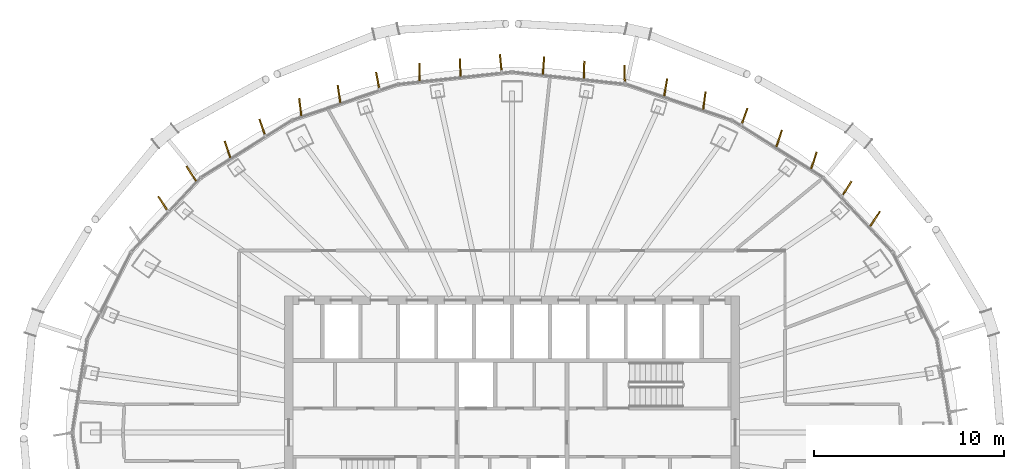
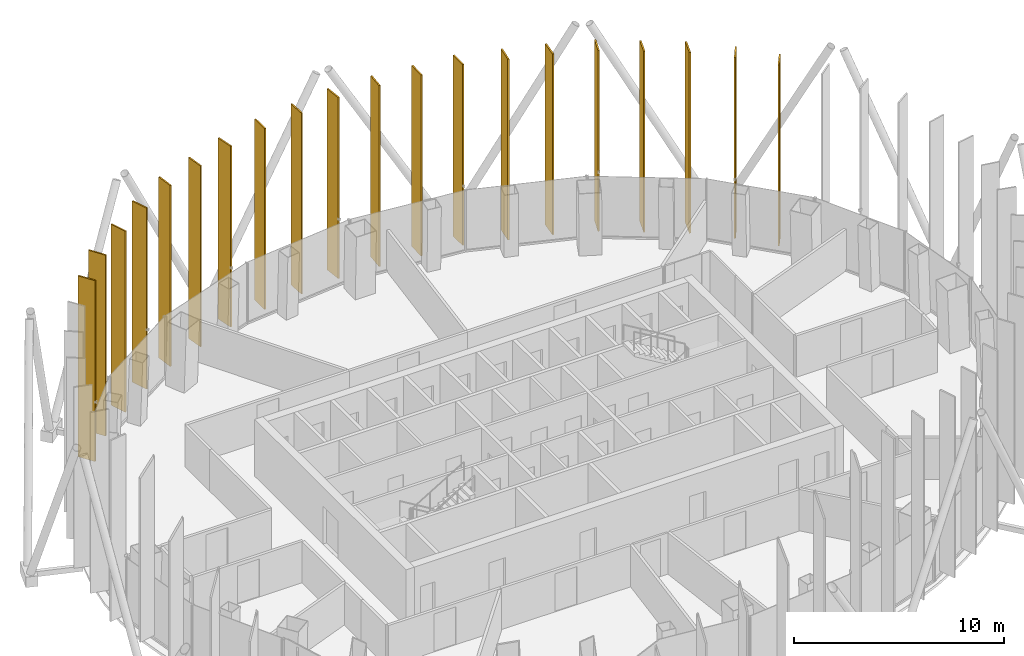
# One storey, part 19 of 19: 20 shading devices.
"""IFC4 building model written with IfcOpenShell, lengths in metres."""

import ifcopenshell
import ifcopenshell.guid

model = None  # the IFC model being written
_history = None  # IfcOwnerHistory: only IFC2X3 demands one
_inside = {}  # id of a spatial element -> (the spatial element, [elements in it])
_under = {}  # id of a project, library or spatial element -> (it, [spatial elements below it])
_declared = {}  # id of a project -> (the project, [libraries it declares])
_typed = {}  # id of a type object -> (the type object, [elements of that type])
_made_of = {}  # id of a material, layer set ... -> (it, [elements and type objects made of it])


def new_model(schema):
    """Start an empty IFC model of exactly this schema.

    Asked for "IFC4X3", IfcOpenShell would pick the latest addendum, in which some entities
    have other attributes; the version numbers below select the first issue.
    IFC2X3 requires an IfcOwnerHistory on every rooted entity: one is made here for all.
    """
    global model, _history
    if schema == "IFC4X3":
        model = ifcopenshell.file(schema_version=(4, 3, 0, 0))
    else:
        model = ifcopenshell.file(schema=schema)
    _inside.clear()
    _under.clear()
    _declared.clear()
    _typed.clear()
    _made_of.clear()
    _history = None
    if model.schema == "IFC2X3":
        org = make("IfcOrganization", Name="unknown")
        user = make(
            "IfcPersonAndOrganization",
            ThePerson=make("IfcPerson", FamilyName="unknown"),
            TheOrganization=org,
        )
        app = make(
            "IfcApplication",
            ApplicationDeveloper=org,
            Version="unknown",
            ApplicationFullName="unknown",
            ApplicationIdentifier="unknown",
        )
        _history = make(
            "IfcOwnerHistory",
            OwningUser=user,
            OwningApplication=app,
            ChangeAction="ADDED",
            CreationDate=0,
        )
    return model


def make(cls, **values):
    """One entity of the class cls with the attributes given. An attribute that is None is left unset."""
    return model.create_entity(
        cls, **{name: value for name, value in values.items() if value is not None}
    )


def rooted(cls, **values):
    """An entity with a GlobalId (a new one), such as an element, a storey or a relation."""
    return make(cls, GlobalId=ifcopenshell.guid.new(), OwnerHistory=_history, **values)


def si_unit(unit_type, name, prefix=None):
    """IfcSIUnit, for example si_unit("LENGTHUNIT", "METRE", prefix="MILLI")."""
    return make("IfcSIUnit", UnitType=unit_type, Prefix=prefix, Name=name)


def assignment(units):
    """IfcUnitAssignment: the units of a project."""
    return None if units is None else make("IfcUnitAssignment", Units=units)


def point(xyz):
    """IfcCartesianPoint."""
    return None if xyz is None else make("IfcCartesianPoint", Coordinates=xyz)


def direction(xyz):
    """IfcDirection."""
    return None if xyz is None else make("IfcDirection", DirectionRatios=xyz)


def frame(location, z_axis=None, x_axis=None):
    """IfcAxis2Placement3D, a coordinate frame: its origin and axes. An axis left out is left unset."""
    return make(
        "IfcAxis2Placement3D",
        Location=point(location),
        Axis=direction(z_axis),
        RefDirection=direction(x_axis),
    )


def frame_2d(location, x_axis=None):
    """IfcAxis2Placement2D, a coordinate frame in the plane: its origin and x axis."""
    return make(
        "IfcAxis2Placement2D", Location=point(location), RefDirection=direction(x_axis)
    )


def origin():
    """The frame at (0, 0, 0) with its axes left unset."""
    return frame((0.0, 0.0, 0.0))


def origin_2d():
    """The frame at (0, 0) in the plane with its x axis left unset."""
    return frame_2d((0.0, 0.0))


def place(relative_to, where):
    """IfcLocalPlacement: puts the frame where relative to a parent placement (None: the world)."""
    return make(
        "IfcLocalPlacement", PlacementRelTo=relative_to, RelativePlacement=where
    )


def context(
    kind, dimensions, precision=None, world=None, true_north=None, identifier=None
):
    """IfcGeometricRepresentationContext, for example the 3D "Model" context."""
    return make(
        "IfcGeometricRepresentationContext",
        ContextIdentifier=identifier,
        ContextType=kind,
        CoordinateSpaceDimension=dimensions,
        Precision=precision,
        WorldCoordinateSystem=world,
        TrueNorth=true_north,
    )


def subcontext(parent, identifier, kind, view, scale=None):
    """IfcGeometricRepresentationSubContext, for example "Body" below "Model"."""
    return make(
        "IfcGeometricRepresentationSubContext",
        ContextIdentifier=identifier,
        ContextType=kind,
        ParentContext=parent,
        TargetScale=scale,
        TargetView=view,
    )


def project(units=None, contexts=None):
    """IfcProject with its units and contexts."""
    return rooted(
        "IfcProject",
        Name="project",
        RepresentationContexts=contexts,
        UnitsInContext=assignment(units),
    )


def spatial(cls, under=None, at=None, **own):
    """A site, building, storey or space (cls), placed at a placement, below another one or the project."""
    s = rooted(cls, ObjectPlacement=at, **own)
    if under is not None:
        _under.setdefault(under.id(), (under, []))[1].append(s)
    return s


def profile(cls, at=None, kind="AREA", **sizes):
    """A parametric profile (cls). Its sizes go by their IFC names, for example OverallWidth=200.0."""
    return make(cls, ProfileType=kind, Position=at, **sizes)


def rectangle(**sizes):
    """IfcRectangleProfileDef."""
    return profile("IfcRectangleProfileDef", **sizes)


def extrude(swept, where, along, depth):
    """IfcExtrudedAreaSolid: the profile swept, set in the frame where, extruded along a direction by depth."""
    return make(
        "IfcExtrudedAreaSolid",
        SweptArea=swept,
        Position=where,
        ExtrudedDirection=direction(along),
        Depth=depth,
    )


def shape(context_of_items, identifier, shape_type, items):
    """IfcShapeRepresentation: the items that make up one representation, for example the "Body"."""
    return make(
        "IfcShapeRepresentation",
        ContextOfItems=context_of_items,
        RepresentationIdentifier=identifier,
        RepresentationType=shape_type,
        Items=items,
    )


def material(Name=None, Category=None):
    """IfcMaterial."""
    return make("IfcMaterial", Name=Name, Category=Category)


def layer(
    of_material, thickness, ventilated=None, Name=None, Category=None, Priority=None
):
    """IfcMaterialLayer: one layer of a wall or slab, of a material (None: an air gap)."""
    return make(
        "IfcMaterialLayer",
        Material=of_material,
        LayerThickness=thickness,
        IsVentilated=ventilated,
        Name=Name,
        Category=Category,
        Priority=Priority,
    )


def layer_set(layers, Name=None):
    """IfcMaterialLayerSet."""
    return make("IfcMaterialLayerSet", MaterialLayers=layers, LayerSetName=Name)


def made_of(thing, what):
    """Note that an element or type object is made of a material, layer set ...; save() writes the relation."""
    if what is not None:
        _made_of.setdefault(what.id(), (what, []))[1].append(thing)
    return thing


def type_object(cls, material=None, **own):
    """A type object (cls), such as IfcWallType, which elements share."""
    return made_of(rooted(cls, **own), material)


def element(
    cls,
    number,
    at=None,
    inside=None,
    cuts=None,
    type_object=None,
    material=None,
    context=None,
    identifier="Body",
    shape_type=None,
    held_by="IfcProductDefinitionShape",
    body=None,
    shapes=None,
    **own,
):
    """One element of the class cls, such as IfcWall. Its Tag is "e" and its number.

    at: its placement. inside: the storey or other place that contains it. cuts: it is an
    opening in that element (IfcRelVoidsElement). A single representation is given by context,
    identifier, shape_type and body (its items); several are given by shapes. held_by: the class
    of the entity that holds the representations. save() writes the other relations.
    """
    e = rooted(cls, Tag="e%d" % number, ObjectPlacement=at, **own)
    if body is not None:
        shapes = [shape(context, identifier, shape_type, body)]
    if shapes is not None:
        e.Representation = make(held_by, Representations=shapes)
    if inside is not None:
        _inside.setdefault(inside.id(), (inside, []))[1].append(e)
    if cuts is not None:
        rooted(
            "IfcRelVoidsElement", RelatingBuildingElement=cuts, RelatedOpeningElement=e
        )
    if type_object is not None:
        _typed.setdefault(type_object.id(), (type_object, []))[1].append(e)
    return made_of(e, material)


def aggregate(whole, parts):
    """IfcRelAggregates: a whole, such as a stair, and the parts it consists of."""
    return rooted("IfcRelAggregates", RelatingObject=whole, RelatedObjects=parts)


def save(model, path):
    """Write the relations noted so far, then the file.

    IfcRelAggregates (storeys below a building ...), IfcRelContainedInSpatialStructure (elements
    in a storey), IfcRelDefinesByType, IfcRelAssociatesMaterial and IfcRelDeclares: one each for
    every whole, place, type object, material and project.
    """
    for whole, parts in _under.values():
        aggregate(whole, parts)
    for where, things in _inside.values():
        rooted(
            "IfcRelContainedInSpatialStructure",
            RelatedElements=things,
            RelatingStructure=where,
        )
    for kind, things in _typed.values():
        rooted("IfcRelDefinesByType", RelatedObjects=things, RelatingType=kind)
    for what, things in _made_of.values():
        rooted("IfcRelAssociatesMaterial", RelatedObjects=things, RelatingMaterial=what)
    for by, libraries in _declared.values():
        rooted("IfcRelDeclares", RelatingContext=by, RelatedDefinitions=libraries)
    model.write(path)


model = new_model("IFC4")

# Units and contexts
model_context = context("Model", 3, precision=1e-05, world=origin(), true_north=direction((0.0, 1.0)))
body_context = subcontext(model_context, "Body", "Model", "MODEL_VIEW")
ifc_project = project(units=[si_unit("LENGTHUNIT", "METRE"), si_unit("AREAUNIT", "SQUARE_METRE"), si_unit("VOLUMEUNIT", "CUBIC_METRE"), si_unit("PLANEANGLEUNIT", "RADIAN"), si_unit("MASSUNIT", "GRAM", prefix="KILO")], contexts=[model_context])

# Site, building, storey
site_placement = place(None, origin())
site = spatial("IfcSite", under=ifc_project, at=site_placement, CompositionType="ELEMENT")
building_placement = place(site_placement, origin())
building = spatial("IfcBuilding", under=site, at=building_placement, Name="Siaravel Broadcast Tower", CompositionType="ELEMENT")
storey_placement = place(building_placement, frame((0.0, 0.0, 179.300048828125)))
storey = spatial("IfcBuildingStorey", under=building, at=storey_placement, Name="L43", CompositionType="ELEMENT", Elevation=179.300048828125)

# Shading devices
ifc_material = material(Name="Bronze anodised aluminium", Category="aluminium")
ifc_layer = layer(ifc_material, 0.080078125)
ifc_layer_set = layer_set([ifc_layer], Name="Bronze anodised aluminium")
shading_device_type = type_object("IfcShadingDeviceType", Name="Bronze fin zone 3", PredefinedType="USERDEFINED", material=ifc_layer_set)
for number, where, z_axis, x_axis, name in (
    (1, (19.148681640625, 11.276123046875, 0.300048828125), (0.0, 0.0, 1.0), (0.554832811, 0.831961869, 0.0), "Bronze fin L43-06"),
    (2, (17.65869140625, 12.86474609375, 0.300048828125), (0.0, 0.0, 1.0), (0.544573164, 0.838713341, 0.0), "Bronze fin L43-07"),
    (3, (15.92431640625, 14.360595703125, 0.300048828125), (0.0, 0.0, 1.0), (0.312122685, 0.950041804, 0.0), "Bronze fin L43-08"),
    (4, (14.08837890625, 15.515625, 0.300048828125), (0.0, 0.0, 1.0), (0.320115335, 0.947378579, 0.0), "Bronze fin L43-09"),
    (5, (12.256591796875, 16.669189453125, 0.300048828125), (0.0, 0.0, 1.0), (0.336998309, 0.941505252, 0.0), "Bronze fin L43-10"),
    (6, (10.14501953125, 17.513916015625, 0.300048828125), (0.0, 0.0, 1.0), (0.134792131, 0.990873898, 0.0), "Bronze fin L43-11"),
    (7, (8.1025390625, 18.209716796875, 0.300048828125), (0.0, 0.0, 1.0), (0.167069894, 0.985945054, 0.0), "Bronze fin L43-12"),
    (8, (5.9423828125, 18.90478515625, 0.300048828125), (0.0, 0.0, 1.0), (-0.013546831, 0.999908237, 0.0), "Bronze fin L43-13"),
    (9, (3.801513671875, 19.1376953125, 0.300048828125), (0.0, 0.0, 1.0), (0.028260099, 0.999600604, 0.0), "Bronze fin L43-14"),
    (10, (1.662109375, 19.369384765625, 0.300048828125), (0.0, 0.0, 1.0), (0.073093723, 0.997325076, 0.0), "Bronze fin L43-15"),
    (11, (-0.592529296875, 19.485107421875, 0.300048828125), (0.0, 0.0, 1.0), (-0.095875286, 0.995393354, 0.0), "Bronze fin L43-16"),
    (12, (-2.731689453125, 19.253662109375, 0.300048828125), (0.0, 0.0, 1.0), (-0.050450006, 0.998726588, 0.0), "Bronze fin L43-17"),
    (13, (-4.871826171875, 19.021240234375, 0.300048828125), (0.0, 0.0, 1.0), (-0.006834656, 0.999976643, 0.0), "Bronze fin L43-18"),
    (14, (-7.082275390625, 18.55712890625, 0.300048828125), (0.0, 0.0, 1.0), (-0.185357909, 0.982671077, 0.0), "Bronze fin L43-19"),
    (15, (-9.12353515625, 17.86181640625, 0.300048828125), (0.0, 0.0, 1.0), (-0.150127234, 0.988666685, 0.0), "Bronze fin L43-20"),
    (16, (-11.16748046875, 17.165771484375, 0.300048828125), (0.0, 0.0, 1.0), (-0.121273403, 0.992619142, 0.0), "Bronze fin L43-21"),
    (17, (-13.172119140625, 16.092529296875, 0.300048828125), (0.0, 0.0, 1.0), (-0.327511449, 0.94484721, 0.0), "Bronze fin L43-22"),
    (18, (-15.005859375, 14.938232421875, 0.300048828125), (0.0, 0.0, 1.0), (-0.314960016, 0.949104941, 0.0), "Bronze fin L43-23"),
    (19, (-16.9150390625, 13.658203125, 0.300048828125), (0.0, 0.0, 1.0), (-0.542819772, 0.83984921, 0.0), "Bronze fin L43-24"),
    (20, (-18.403076171875, 12.07080078125, 0.300048828125), (0.0, 0.0, 1.0), (-0.548598248, 0.836086097, 0.0), "Bronze fin L43-25"),
):
    element("IfcShadingDevice", number, at=place(storey_placement, frame(where, z_axis=z_axis, x_axis=x_axis)), inside=storey, type_object=shading_device_type, Name=name, ObjectType="FIN", PredefinedType="USERDEFINED", context=body_context, shape_type="SweptSolid", body=[
        extrude(rectangle(XDim=0.919921875, YDim=0.080078125, at=origin_2d()), origin(), (0.0, 0.0, 1.0), 10.5),
    ])

save(model, "model.ifc")
